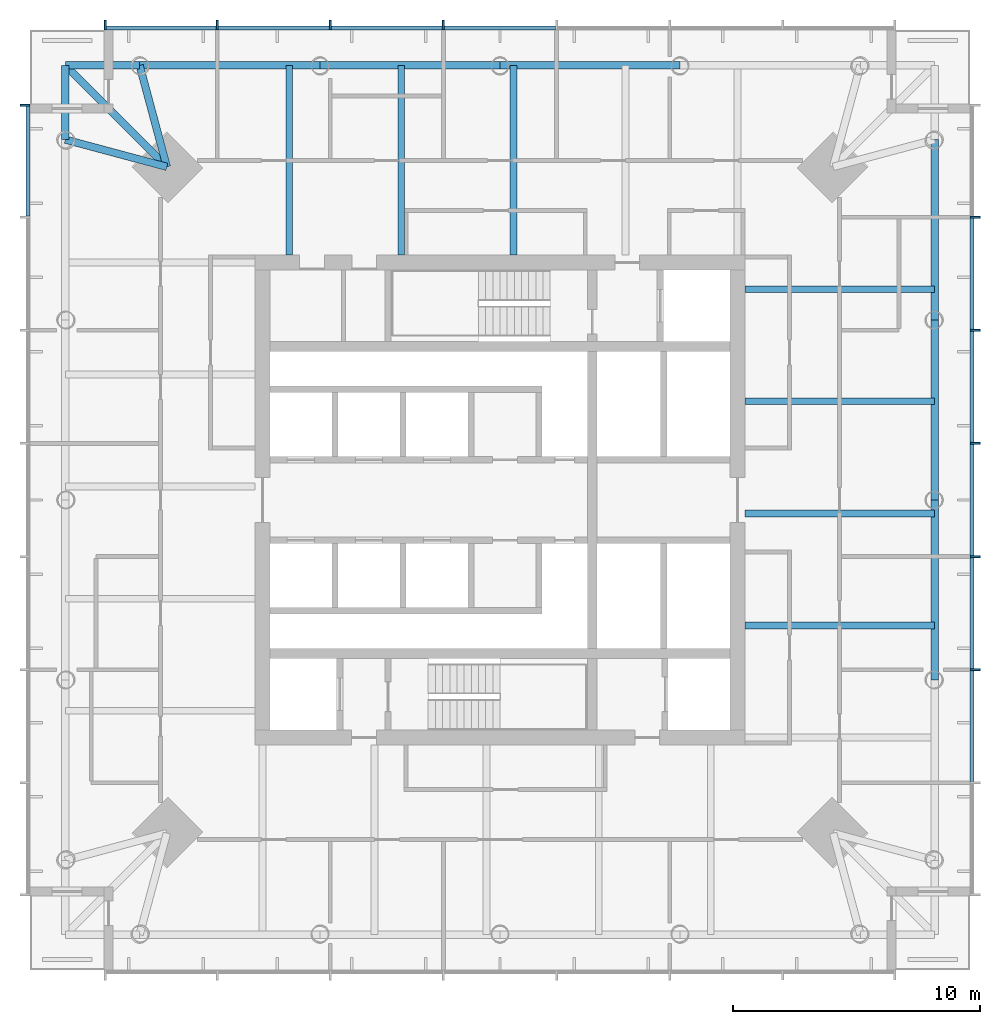
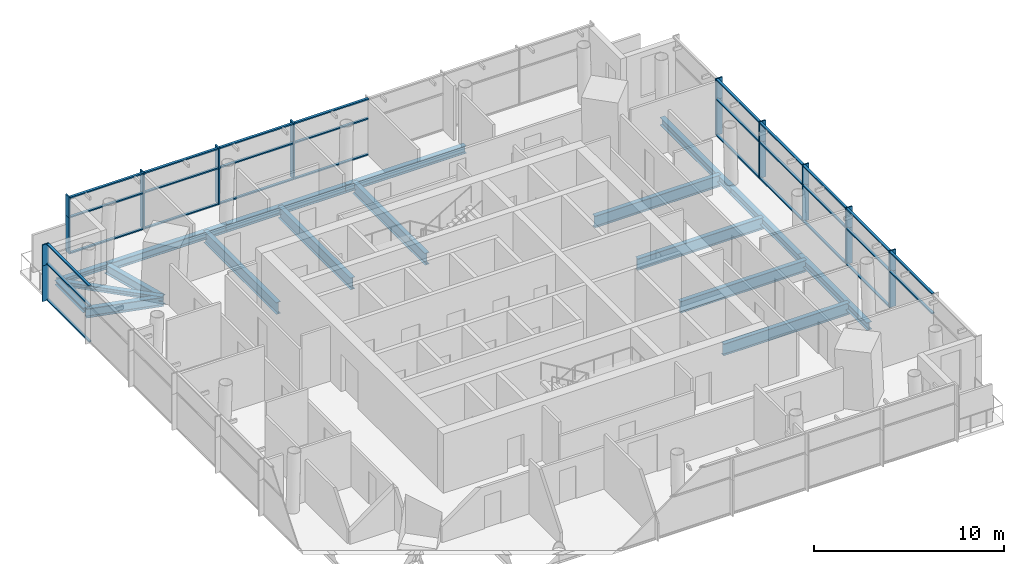
# One storey, part 3 of 10: 49 members, 18 beams, 6 elements without a shape of their own.
"""IFC4 building model written with IfcOpenShell, lengths in metres."""

from ifc_helpers import new_model, si_unit, direction, frame, origin, origin_2d, place, context, subcontext, project, spatial, rectangle, i_section, extrude, material, material_profile, profile_set, type_object, element, aggregate, save


model = new_model("IFC4")

# Units and contexts
model_context = context("Model", 3, precision=1e-05, world=origin(), true_north=direction((0.0, 1.0)))
body_context = subcontext(model_context, "Body", "Model", "MODEL_VIEW")
ifc_project = project(units=[si_unit("LENGTHUNIT", "METRE"), si_unit("AREAUNIT", "SQUARE_METRE"), si_unit("VOLUMEUNIT", "CUBIC_METRE"), si_unit("PLANEANGLEUNIT", "RADIAN"), si_unit("MASSUNIT", "GRAM", prefix="KILO")], contexts=[model_context])

# Site, building, storey
site_placement = place(None, origin())
site = spatial("IfcSite", under=ifc_project, at=site_placement, CompositionType="ELEMENT")
building_placement = place(site_placement, origin())
building = spatial("IfcBuilding", under=site, at=building_placement, Name="Ostroluk Exchange", CompositionType="ELEMENT")
storey_placement = place(building_placement, frame((0.0, 0.0, 222.39990234375)))
storey = spatial("IfcBuildingStorey", under=building, at=storey_placement, Name="L57", CompositionType="ELEMENT", Elevation=222.39990234375)

# Beams
ifc_material_1 = material(Name="Steel S355", Category="steel")
ifc_material_profile_1 = material_profile(ifc_material_1, i_section(OverallWidth=0.300048828125, OverallDepth=0.300048828125, WebThickness=0.010986328125, FlangeThickness=0.01904296875, FilletRadius=0.027099609375, at=origin_2d()), Name="HEB 300")
ifc_profile_set_1 = profile_set([ifc_material_profile_1], Name="Steel S355")
beam_type_1 = type_object("IfcBeamType", Name="Balcony beam HEB 300", PredefinedType="BEAM", material=ifc_profile_set_1)
for number, where, z_axis, x_axis, name in (
    (1, (30.435791015625, 63.564208984375, -0.329833984375), (-1.0, 0.0, 0.0), (0.0, -1.0, 0.0), "T1 north balcony beam a"),
    (2, (27.435791015625, 60.564208984375, -0.329833984375), (0.0, 1.0, 0.0), (-1.0, 0.0, 0.0), "T1 north balcony beam b"),
):
    element("IfcBeam", number, at=place(storey_placement, frame(where, z_axis=z_axis, x_axis=x_axis)), inside=storey, type_object=beam_type_1, Name=name, PredefinedType="BEAM", context=body_context, shape_type="SweptSolid", body=[
        extrude(i_section(OverallWidth=0.300048828125, OverallDepth=0.300048828125, WebThickness=0.010986328125, FlangeThickness=0.01904296875, FilletRadius=0.027099609375, at=origin_2d()), origin(), (0.0, 0.0, 1.0), 3.0),
    ])
beam_1_placement = place(storey_placement, frame((31.53564453125, 59.46435546875, -0.329833984375), z_axis=(-0.707106781187, 0.707106781187, 0.0), x_axis=(-0.707106781187, -0.707106781187, 0.0)))
element("IfcBeam", 3, at=beam_1_placement, inside=storey, type_object=beam_type_1, Name="T1 north balcony beam c", PredefinedType="BEAM", context=body_context, shape_type="SweptSolid", body=[
    extrude(i_section(OverallWidth=0.300048828125, OverallDepth=0.300048828125, WebThickness=0.010986328125, FlangeThickness=0.01904296875, FilletRadius=0.027099609375, at=origin_2d()), origin(), (0.0, 0.0, 1.0), 5.798095703125),
])
ifc_material_2 = material(Name="Steel S355", Category="steel")
ifc_material_profile_2 = material_profile(ifc_material_2, i_section(OverallWidth=0.300048828125, OverallDepth=0.60009765625, WebThickness=0.015380859375, FlangeThickness=0.030029296875, FilletRadius=0.027099609375, at=origin_2d()), Name="HEB 600")
ifc_profile_set_2 = profile_set([ifc_material_profile_2], Name="Steel S355")
beam_type_2 = type_object("IfcBeamType", Name="Corner edge beam HEB 600", PredefinedType="SPANDREL", material=ifc_profile_set_2)
for number, where, z_axis, x_axis, name in (
    (4, (31.53564453125, 59.46435546875, -0.47998046875), (-0.259105011038, 0.965849156574, 0.0), (-0.965849156574, -0.259105011038, 0.0), "T1 north corner edge beam a"),
    (5, (31.53564453125, 59.46435546875, -0.47998046875), (-0.965849156574, 0.259105011038, 0.0), (-0.259105011038, -0.965849156574, 0.0), "T1 north corner edge beam b"),
):
    element("IfcBeam", number, at=place(storey_placement, frame(where, z_axis=z_axis, x_axis=x_axis)), inside=storey, type_object=beam_type_2, Name=name, PredefinedType="SPANDREL", context=body_context, shape_type="SweptSolid", body=[
        extrude(i_section(OverallWidth=0.300048828125, OverallDepth=0.60009765625, WebThickness=0.015380859375, FlangeThickness=0.030029296875, FilletRadius=0.027099609375, at=origin_2d()), origin(), (0.0, 0.0, 1.0), 4.244873046875),
    ])
ifc_material_3 = material(Name="Steel S355", Category="steel")
ifc_material_profile_3 = material_profile(ifc_material_3, i_section(OverallWidth=0.264892578125, OverallDepth=0.7529296875, WebThickness=0.01318359375, FlangeThickness=0.01708984375, FilletRadius=0.01708984375, at=origin_2d()), Name="IPE 750x147")
ifc_profile_set_3 = profile_set([ifc_material_profile_3], Name="Steel S355")
beam_type_3 = type_object("IfcBeamType", Name="Floor beam IPE 750x147", PredefinedType="BEAM", material=ifc_profile_set_3)
for number, where, z_axis, x_axis, name in (
    (6, (54.89990234375, 40.927490234375, -0.556396484375), (1.0, 0.0, 0.0), (0.0, 1.0, 0.0), "T1 east floor beam 1"),
    (7, (54.89990234375, 45.454833984375, -0.556396484375), (1.0, 0.0, 0.0), (0.0, 1.0, 0.0), "T1 east floor beam 2"),
    (8, (54.89990234375, 49.982177734375, -0.556396484375), (1.0, 0.0, 0.0), (0.0, 1.0, 0.0), "T1 east floor beam 3"),
    (9, (54.89990234375, 54.509521484375, -0.556396484375), (1.0, 0.0, 0.0), (0.0, 1.0, 0.0), "T1 east floor beam 4"),
    (10, (45.545166015625, 55.89990234375, -0.556396484375), (0.0, 1.0, 0.0), (-1.0, 0.0, 0.0), "T1 north floor beam 2"),
    (11, (41.017822265625, 55.89990234375, -0.556396484375), (0.0, 1.0, 0.0), (-1.0, 0.0, 0.0), "T1 north floor beam 3"),
    (12, (36.490478515625, 55.89990234375, -0.556396484375), (0.0, 1.0, 0.0), (-1.0, 0.0, 0.0), "T1 north floor beam 4"),
):
    element("IfcBeam", number, at=place(storey_placement, frame(where, z_axis=z_axis, x_axis=x_axis)), inside=storey, type_object=beam_type_3, Name=name, PredefinedType="BEAM", context=body_context, shape_type="SweptSolid", body=[
        extrude(i_section(OverallWidth=0.264892578125, OverallDepth=0.7529296875, WebThickness=0.01318359375, FlangeThickness=0.01708984375, FilletRadius=0.01708984375, at=origin_2d()), origin(), (0.0, 0.0, 1.0), 7.664306640625),
    ])
ifc_material_4 = material(Name="Steel S355", Category="steel")
ifc_material_profile_4 = material_profile(ifc_material_4, i_section(OverallWidth=0.300048828125, OverallDepth=0.5, WebThickness=0.014404296875, FlangeThickness=0.028076171875, FilletRadius=0.027099609375, at=origin_2d()), Name="HEB 500")
ifc_profile_set_4 = profile_set([ifc_material_profile_4], Name="Steel S355")
beam_type_4 = type_object("IfcBeamType", Name="Moment-connected edge beam HEB 500", PredefinedType="SPANDREL", material=ifc_profile_set_4)
for number, where, z_axis, x_axis, name in (
    (13, (62.564208984375, 38.7177734375, -0.429931640625), (0.0, 1.0, 0.0), (-1.0, 0.0, 0.0), "T1 east edge beam 2"),
    (14, (62.564208984375, 46.0, -0.429931640625), (0.0, 1.0, 0.0), (-1.0, 0.0, 0.0), "T1 east edge beam 3"),
):
    element("IfcBeam", number, at=place(storey_placement, frame(where, z_axis=z_axis, x_axis=x_axis)), inside=storey, type_object=beam_type_4, Name=name, PredefinedType="SPANDREL", context=body_context, shape_type="SweptSolid", body=[
        extrude(i_section(OverallWidth=0.300048828125, OverallDepth=0.5, WebThickness=0.014404296875, FlangeThickness=0.028076171875, FilletRadius=0.027099609375, at=origin_2d()), origin(), (0.0, 0.0, 1.0), 7.2822265625),
    ])
beam_2_placement = place(storey_placement, frame((62.564208984375, 53.2822265625, -0.429931640625), z_axis=(0.0, 1.0, 0.0), x_axis=(-1.0, 0.0, 0.0)))
element("IfcBeam", 15, at=beam_2_placement, inside=storey, type_object=beam_type_4, Name="T1 east edge beam 4", PredefinedType="SPANDREL", context=body_context, shape_type="SweptSolid", body=[
    extrude(i_section(OverallWidth=0.300048828125, OverallDepth=0.5, WebThickness=0.014404296875, FlangeThickness=0.028076171875, FilletRadius=0.027099609375, at=origin_2d()), origin(), (0.0, 0.0, 1.0), 7.281982421875),
])
for number, where, z_axis, x_axis, name in (
    (16, (52.2822265625, 63.564208984375, -0.429931640625), (-1.0, 0.0, 0.0), (0.0, -1.0, 0.0), "T1 north edge beam 2"),
    (17, (45.0, 63.564208984375, -0.429931640625), (-1.0, 0.0, 0.0), (0.0, -1.0, 0.0), "T1 north edge beam 3"),
):
    element("IfcBeam", number, at=place(storey_placement, frame(where, z_axis=z_axis, x_axis=x_axis)), inside=storey, type_object=beam_type_4, Name=name, PredefinedType="SPANDREL", context=body_context, shape_type="SweptSolid", body=[
        extrude(i_section(OverallWidth=0.300048828125, OverallDepth=0.5, WebThickness=0.014404296875, FlangeThickness=0.028076171875, FilletRadius=0.027099609375, at=origin_2d()), origin(), (0.0, 0.0, 1.0), 7.2822265625),
    ])
beam_3_placement = place(storey_placement, frame((37.7177734375, 63.564208984375, -0.429931640625), z_axis=(-1.0, 0.0, 0.0), x_axis=(0.0, -1.0, 0.0)))
element("IfcBeam", 18, at=beam_3_placement, inside=storey, type_object=beam_type_4, Name="T1 north edge beam 4", PredefinedType="SPANDREL", context=body_context, shape_type="SweptSolid", body=[
    extrude(i_section(OverallWidth=0.300048828125, OverallDepth=0.5, WebThickness=0.014404296875, FlangeThickness=0.028076171875, FilletRadius=0.027099609375, at=origin_2d()), origin(), (0.0, 0.0, 1.0), 7.281982421875),
])

# Curtain wall, members
ifc_material_5 = material(Name="Laminated clear glass", Category="glass")
curtain_wall_type = type_object("IfcCurtainWallType", Name="Office tower facade", PredefinedType="USERDEFINED", material=ifc_material_5)
curtain_wall_1_placement = place(storey_placement, origin())
curtain_wall_1 = element("IfcCurtainWall", 19, at=curtain_wall_1_placement, inside=storey, type_object=curtain_wall_type, Name="Office tower east facade L57", ObjectType="UNITISED CURTAIN WALL", PredefinedType="USERDEFINED")
ifc_material_6 = material(Name="Aluminium mullion", Category="aluminium")
ifc_material_profile_5 = material_profile(ifc_material_6, rectangle(XDim=0.14990234375, YDim=0.080078125, at=origin_2d()), Name="Sill transom 80 x 150")
ifc_profile_set_5 = profile_set([ifc_material_profile_5], Name="Aluminium mullion")
member_type_1 = type_object("IfcMemberType", Name="Sill transom 80 x 150", PredefinedType="USERDEFINED", material=ifc_profile_set_5)
member_1_placement = place(storey_placement, frame((64.074951171875, 39.182861328125, 0.0400390625), z_axis=(0.0, 1.0, 0.0), x_axis=(-1.0, 0.0, 0.0)))
member_1 = element("IfcMember", 20, at=member_1_placement, type_object=member_type_1, Name="CW-O1 transom 3.1", ObjectType="TRANSOM", PredefinedType="USERDEFINED", context=body_context, shape_type="SweptSolid", body=[
    extrude(rectangle(XDim=0.14990234375, YDim=0.080078125, at=origin_2d()), origin(), (0.0, 0.0, 1.0), 4.491455078125),
])
member_2_placement = place(storey_placement, frame((64.074951171875, 43.75439453125, 0.0400390625), z_axis=(0.0, 1.0, 0.0), x_axis=(-1.0, 0.0, 0.0)))
member_2 = element("IfcMember", 21, at=member_2_placement, type_object=member_type_1, Name="CW-O1 transom 4.1", ObjectType="TRANSOM", PredefinedType="USERDEFINED", context=body_context, shape_type="SweptSolid", body=[
    extrude(rectangle(XDim=0.14990234375, YDim=0.080078125, at=origin_2d()), origin(), (0.0, 0.0, 1.0), 4.4912109375),
])
member_3_placement = place(storey_placement, frame((64.074951171875, 48.32568359375, 0.0400390625), z_axis=(0.0, 1.0, 0.0), x_axis=(-1.0, 0.0, 0.0)))
member_3 = element("IfcMember", 22, at=member_3_placement, type_object=member_type_1, Name="CW-O1 transom 5.1", ObjectType="TRANSOM", PredefinedType="USERDEFINED", context=body_context, shape_type="SweptSolid", body=[
    extrude(rectangle(XDim=0.14990234375, YDim=0.080078125, at=origin_2d()), origin(), (0.0, 0.0, 1.0), 4.491455078125),
])
member_4_placement = place(storey_placement, frame((64.074951171875, 52.897216796875, 0.0400390625), z_axis=(0.0, 1.0, 0.0), x_axis=(-1.0, 0.0, 0.0)))
member_4 = element("IfcMember", 23, at=member_4_placement, type_object=member_type_1, Name="CW-O1 transom 6.1", ObjectType="TRANSOM", PredefinedType="USERDEFINED", context=body_context, shape_type="SweptSolid", body=[
    extrude(rectangle(XDim=0.14990234375, YDim=0.080078125, at=origin_2d()), origin(), (0.0, 0.0, 1.0), 4.491455078125),
])

curtain_wall_2_placement = place(storey_placement, origin())
curtain_wall_2 = element("IfcCurtainWall", 24, at=curtain_wall_2_placement, inside=storey, type_object=curtain_wall_type, Name="Office tower east spandrel L57", ObjectType="UNITISED CURTAIN WALL", PredefinedType="USERDEFINED")
member_5_placement = place(storey_placement, frame((64.074951171875, 34.611328125, 2.353515625), z_axis=(0.0, 1.0, 0.0), x_axis=(-1.0, 0.0, 0.0)))
member_5 = element("IfcMember", 25, at=member_5_placement, type_object=member_type_1, Name="CW-O1 transom 2.1", ObjectType="TRANSOM", PredefinedType="USERDEFINED", context=body_context, shape_type="SweptSolid", body=[
    extrude(rectangle(XDim=0.14990234375, YDim=0.080078125, at=origin_2d()), origin(), (0.0, 0.0, 1.0), 4.491455078125),
])
member_6_placement = place(storey_placement, frame((64.074951171875, 34.611328125, 3.610107421875), z_axis=(0.0, 1.0, 0.0), x_axis=(-1.0, 0.0, 0.0)))
member_6 = element("IfcMember", 26, at=member_6_placement, type_object=member_type_1, Name="CW-O1 transom 2.2", ObjectType="TRANSOM", PredefinedType="USERDEFINED", context=body_context, shape_type="SweptSolid", body=[
    extrude(rectangle(XDim=0.14990234375, YDim=0.080078125, at=origin_2d()), origin(), (0.0, 0.0, 1.0), 4.491455078125),
])
member_7_placement = place(storey_placement, frame((64.074951171875, 39.182861328125, 2.353515625), z_axis=(0.0, 1.0, 0.0), x_axis=(-1.0, 0.0, 0.0)))
member_7 = element("IfcMember", 27, at=member_7_placement, type_object=member_type_1, Name="CW-O1 transom 3.1", ObjectType="TRANSOM", PredefinedType="USERDEFINED", context=body_context, shape_type="SweptSolid", body=[
    extrude(rectangle(XDim=0.14990234375, YDim=0.080078125, at=origin_2d()), origin(), (0.0, 0.0, 1.0), 4.491455078125),
])
member_8_placement = place(storey_placement, frame((64.074951171875, 39.182861328125, 3.610107421875), z_axis=(0.0, 1.0, 0.0), x_axis=(-1.0, 0.0, 0.0)))
member_8 = element("IfcMember", 28, at=member_8_placement, type_object=member_type_1, Name="CW-O1 transom 3.2", ObjectType="TRANSOM", PredefinedType="USERDEFINED", context=body_context, shape_type="SweptSolid", body=[
    extrude(rectangle(XDim=0.14990234375, YDim=0.080078125, at=origin_2d()), origin(), (0.0, 0.0, 1.0), 4.491455078125),
])
member_9_placement = place(storey_placement, frame((64.074951171875, 43.75439453125, 2.353515625), z_axis=(0.0, 1.0, 0.0), x_axis=(-1.0, 0.0, 0.0)))
member_9 = element("IfcMember", 29, at=member_9_placement, type_object=member_type_1, Name="CW-O1 transom 4.1", ObjectType="TRANSOM", PredefinedType="USERDEFINED", context=body_context, shape_type="SweptSolid", body=[
    extrude(rectangle(XDim=0.14990234375, YDim=0.080078125, at=origin_2d()), origin(), (0.0, 0.0, 1.0), 4.4912109375),
])
member_10_placement = place(storey_placement, frame((64.074951171875, 43.75439453125, 3.610107421875), z_axis=(0.0, 1.0, 0.0), x_axis=(-1.0, 0.0, 0.0)))
member_10 = element("IfcMember", 30, at=member_10_placement, type_object=member_type_1, Name="CW-O1 transom 4.2", ObjectType="TRANSOM", PredefinedType="USERDEFINED", context=body_context, shape_type="SweptSolid", body=[
    extrude(rectangle(XDim=0.14990234375, YDim=0.080078125, at=origin_2d()), origin(), (0.0, 0.0, 1.0), 4.4912109375),
])
member_11_placement = place(storey_placement, frame((64.074951171875, 48.32568359375, 2.353515625), z_axis=(0.0, 1.0, 0.0), x_axis=(-1.0, 0.0, 0.0)))
member_11 = element("IfcMember", 31, at=member_11_placement, type_object=member_type_1, Name="CW-O1 transom 5.1", ObjectType="TRANSOM", PredefinedType="USERDEFINED", context=body_context, shape_type="SweptSolid", body=[
    extrude(rectangle(XDim=0.14990234375, YDim=0.080078125, at=origin_2d()), origin(), (0.0, 0.0, 1.0), 4.491455078125),
])
member_12_placement = place(storey_placement, frame((64.074951171875, 48.32568359375, 3.610107421875), z_axis=(0.0, 1.0, 0.0), x_axis=(-1.0, 0.0, 0.0)))
member_12 = element("IfcMember", 32, at=member_12_placement, type_object=member_type_1, Name="CW-O1 transom 5.2", ObjectType="TRANSOM", PredefinedType="USERDEFINED", context=body_context, shape_type="SweptSolid", body=[
    extrude(rectangle(XDim=0.14990234375, YDim=0.080078125, at=origin_2d()), origin(), (0.0, 0.0, 1.0), 4.491455078125),
])
member_13_placement = place(storey_placement, frame((64.074951171875, 52.897216796875, 2.353515625), z_axis=(0.0, 1.0, 0.0), x_axis=(-1.0, 0.0, 0.0)))
member_13 = element("IfcMember", 33, at=member_13_placement, type_object=member_type_1, Name="CW-O1 transom 6.1", ObjectType="TRANSOM", PredefinedType="USERDEFINED", context=body_context, shape_type="SweptSolid", body=[
    extrude(rectangle(XDim=0.14990234375, YDim=0.080078125, at=origin_2d()), origin(), (0.0, 0.0, 1.0), 4.491455078125),
])
member_14_placement = place(storey_placement, frame((64.074951171875, 52.897216796875, 3.610107421875), z_axis=(0.0, 1.0, 0.0), x_axis=(-1.0, 0.0, 0.0)))
member_14 = element("IfcMember", 34, at=member_14_placement, type_object=member_type_1, Name="CW-O1 transom 6.2", ObjectType="TRANSOM", PredefinedType="USERDEFINED", context=body_context, shape_type="SweptSolid", body=[
    extrude(rectangle(XDim=0.14990234375, YDim=0.080078125, at=origin_2d()), origin(), (0.0, 0.0, 1.0), 4.491455078125),
])

curtain_wall_3_placement = place(storey_placement, origin())
curtain_wall_3 = element("IfcCurtainWall", 35, at=curtain_wall_3_placement, inside=storey, type_object=curtain_wall_type, Name="Office tower north facade L57", ObjectType="UNITISED CURTAIN WALL", PredefinedType="USERDEFINED")
member_15_placement = place(storey_placement, frame((47.24560546875, 65.074951171875, 0.0400390625), z_axis=(-1.0, 0.0, 0.0), x_axis=(0.0, -1.0, 0.0)))
member_15 = element("IfcMember", 36, at=member_15_placement, type_object=member_type_1, Name="CW-O1 transom 4.1", ObjectType="TRANSOM", PredefinedType="USERDEFINED", context=body_context, shape_type="SweptSolid", body=[
    extrude(rectangle(XDim=0.14990234375, YDim=0.080078125, at=origin_2d()), origin(), (0.0, 0.0, 1.0), 4.4912109375),
])
member_16_placement = place(storey_placement, frame((42.67431640625, 65.074951171875, 0.0400390625), z_axis=(-1.0, 0.0, 0.0), x_axis=(0.0, -1.0, 0.0)))
member_16 = element("IfcMember", 37, at=member_16_placement, type_object=member_type_1, Name="CW-O1 transom 5.1", ObjectType="TRANSOM", PredefinedType="USERDEFINED", context=body_context, shape_type="SweptSolid", body=[
    extrude(rectangle(XDim=0.14990234375, YDim=0.080078125, at=origin_2d()), origin(), (0.0, 0.0, 1.0), 4.491455078125),
])
member_17_placement = place(storey_placement, frame((38.102783203125, 65.074951171875, 0.0400390625), z_axis=(-1.0, 0.0, 0.0), x_axis=(0.0, -1.0, 0.0)))
member_17 = element("IfcMember", 38, at=member_17_placement, type_object=member_type_1, Name="CW-O1 transom 6.1", ObjectType="TRANSOM", PredefinedType="USERDEFINED", context=body_context, shape_type="SweptSolid", body=[
    extrude(rectangle(XDim=0.14990234375, YDim=0.080078125, at=origin_2d()), origin(), (0.0, 0.0, 1.0), 4.491455078125),
])
member_18_placement = place(storey_placement, frame((33.531494140625, 65.074951171875, 0.0400390625), z_axis=(-1.0, 0.0, 0.0), x_axis=(0.0, -1.0, 0.0)))
member_18 = element("IfcMember", 39, at=member_18_placement, type_object=member_type_1, Name="CW-O1 transom 7.1", ObjectType="TRANSOM", PredefinedType="USERDEFINED", context=body_context, shape_type="SweptSolid", body=[
    extrude(rectangle(XDim=0.14990234375, YDim=0.080078125, at=origin_2d()), origin(), (0.0, 0.0, 1.0), 4.451416015625),
])

curtain_wall_4_placement = place(storey_placement, origin())
curtain_wall_4 = element("IfcCurtainWall", 40, at=curtain_wall_4_placement, inside=storey, type_object=curtain_wall_type, Name="Office tower north spandrel L57", ObjectType="UNITISED CURTAIN WALL", PredefinedType="USERDEFINED")
member_19_placement = place(storey_placement, frame((47.24560546875, 65.074951171875, 2.353515625), z_axis=(-1.0, 0.0, 0.0), x_axis=(0.0, -1.0, 0.0)))
member_19 = element("IfcMember", 41, at=member_19_placement, type_object=member_type_1, Name="CW-O1 transom 4.1", ObjectType="TRANSOM", PredefinedType="USERDEFINED", context=body_context, shape_type="SweptSolid", body=[
    extrude(rectangle(XDim=0.14990234375, YDim=0.080078125, at=origin_2d()), origin(), (0.0, 0.0, 1.0), 4.4912109375),
])
member_20_placement = place(storey_placement, frame((47.24560546875, 65.074951171875, 3.610107421875), z_axis=(-1.0, 0.0, 0.0), x_axis=(0.0, -1.0, 0.0)))
member_20 = element("IfcMember", 42, at=member_20_placement, type_object=member_type_1, Name="CW-O1 transom 4.2", ObjectType="TRANSOM", PredefinedType="USERDEFINED", context=body_context, shape_type="SweptSolid", body=[
    extrude(rectangle(XDim=0.14990234375, YDim=0.080078125, at=origin_2d()), origin(), (0.0, 0.0, 1.0), 4.4912109375),
])
member_21_placement = place(storey_placement, frame((42.67431640625, 65.074951171875, 2.353515625), z_axis=(-1.0, 0.0, 0.0), x_axis=(0.0, -1.0, 0.0)))
member_21 = element("IfcMember", 43, at=member_21_placement, type_object=member_type_1, Name="CW-O1 transom 5.1", ObjectType="TRANSOM", PredefinedType="USERDEFINED", context=body_context, shape_type="SweptSolid", body=[
    extrude(rectangle(XDim=0.14990234375, YDim=0.080078125, at=origin_2d()), origin(), (0.0, 0.0, 1.0), 4.491455078125),
])
member_22_placement = place(storey_placement, frame((42.67431640625, 65.074951171875, 3.610107421875), z_axis=(-1.0, 0.0, 0.0), x_axis=(0.0, -1.0, 0.0)))
member_22 = element("IfcMember", 44, at=member_22_placement, type_object=member_type_1, Name="CW-O1 transom 5.2", ObjectType="TRANSOM", PredefinedType="USERDEFINED", context=body_context, shape_type="SweptSolid", body=[
    extrude(rectangle(XDim=0.14990234375, YDim=0.080078125, at=origin_2d()), origin(), (0.0, 0.0, 1.0), 4.491455078125),
])
member_23_placement = place(storey_placement, frame((38.102783203125, 65.074951171875, 2.353515625), z_axis=(-1.0, 0.0, 0.0), x_axis=(0.0, -1.0, 0.0)))
member_23 = element("IfcMember", 45, at=member_23_placement, type_object=member_type_1, Name="CW-O1 transom 6.1", ObjectType="TRANSOM", PredefinedType="USERDEFINED", context=body_context, shape_type="SweptSolid", body=[
    extrude(rectangle(XDim=0.14990234375, YDim=0.080078125, at=origin_2d()), origin(), (0.0, 0.0, 1.0), 4.491455078125),
])
member_24_placement = place(storey_placement, frame((38.102783203125, 65.074951171875, 3.610107421875), z_axis=(-1.0, 0.0, 0.0), x_axis=(0.0, -1.0, 0.0)))
member_24 = element("IfcMember", 46, at=member_24_placement, type_object=member_type_1, Name="CW-O1 transom 6.2", ObjectType="TRANSOM", PredefinedType="USERDEFINED", context=body_context, shape_type="SweptSolid", body=[
    extrude(rectangle(XDim=0.14990234375, YDim=0.080078125, at=origin_2d()), origin(), (0.0, 0.0, 1.0), 4.491455078125),
])
member_25_placement = place(storey_placement, frame((33.531494140625, 65.074951171875, 2.353515625), z_axis=(-1.0, 0.0, 0.0), x_axis=(0.0, -1.0, 0.0)))
member_25 = element("IfcMember", 47, at=member_25_placement, type_object=member_type_1, Name="CW-O1 transom 7.1", ObjectType="TRANSOM", PredefinedType="USERDEFINED", context=body_context, shape_type="SweptSolid", body=[
    extrude(rectangle(XDim=0.14990234375, YDim=0.080078125, at=origin_2d()), origin(), (0.0, 0.0, 1.0), 4.451416015625),
])
member_26_placement = place(storey_placement, frame((33.531494140625, 65.074951171875, 3.610107421875), z_axis=(-1.0, 0.0, 0.0), x_axis=(0.0, -1.0, 0.0)))
member_26 = element("IfcMember", 48, at=member_26_placement, type_object=member_type_1, Name="CW-O1 transom 7.2", ObjectType="TRANSOM", PredefinedType="USERDEFINED", context=body_context, shape_type="SweptSolid", body=[
    extrude(rectangle(XDim=0.14990234375, YDim=0.080078125, at=origin_2d()), origin(), (0.0, 0.0, 1.0), 4.451416015625),
])

# Curtain wall, member
curtain_wall_5_placement = place(storey_placement, origin())
curtain_wall_5 = element("IfcCurtainWall", 49, at=curtain_wall_5_placement, inside=storey, type_object=curtain_wall_type, Name="Office tower west facade L57", ObjectType="UNITISED CURTAIN WALL", PredefinedType="USERDEFINED")
member_27_placement = place(storey_placement, frame((25.925048828125, 61.919921875, 0.0400390625), z_axis=(0.0, -1.0, 0.0), x_axis=(1.0, 0.0, 0.0)))
member_27 = element("IfcMember", 50, at=member_27_placement, type_object=member_type_1, Name="CW-O1 transom 1.1", ObjectType="TRANSOM", PredefinedType="USERDEFINED", context=body_context, shape_type="SweptSolid", body=[
    extrude(rectangle(XDim=0.14990234375, YDim=0.080078125, at=origin_2d()), origin(), (0.0, 0.0, 1.0), 4.451416015625),
])

# Curtain wall, members
curtain_wall_6_placement = place(storey_placement, origin())
curtain_wall_6 = element("IfcCurtainWall", 51, at=curtain_wall_6_placement, inside=storey, type_object=curtain_wall_type, Name="Office tower west spandrel L57", ObjectType="UNITISED CURTAIN WALL", PredefinedType="USERDEFINED")
member_28_placement = place(storey_placement, frame((25.925048828125, 61.919921875, 2.353515625), z_axis=(0.0, -1.0, 0.0), x_axis=(1.0, 0.0, 0.0)))
member_28 = element("IfcMember", 52, at=member_28_placement, type_object=member_type_1, Name="CW-O1 transom 1.1", ObjectType="TRANSOM", PredefinedType="USERDEFINED", context=body_context, shape_type="SweptSolid", body=[
    extrude(rectangle(XDim=0.14990234375, YDim=0.080078125, at=origin_2d()), origin(), (0.0, 0.0, 1.0), 4.451416015625),
])
member_29_placement = place(storey_placement, frame((25.925048828125, 61.919921875, 3.610107421875), z_axis=(0.0, -1.0, 0.0), x_axis=(1.0, 0.0, 0.0)))
member_29 = element("IfcMember", 53, at=member_29_placement, type_object=member_type_1, Name="CW-O1 transom 1.2", ObjectType="TRANSOM", PredefinedType="USERDEFINED", context=body_context, shape_type="SweptSolid", body=[
    extrude(rectangle(XDim=0.14990234375, YDim=0.080078125, at=origin_2d()), origin(), (0.0, 0.0, 1.0), 4.451416015625),
])

# Member
ifc_material_7 = material(Name="Aluminium mullion with limestone facing", Category="masonry")
ifc_material_profile_6 = material_profile(ifc_material_7, rectangle(XDim=0.39990234375, YDim=0.080078125, at=origin_2d()), Name="Tracery mullion 80 x 400")
ifc_profile_set_6 = profile_set([ifc_material_profile_6], Name="Aluminium mullion with limestone facing")
member_type_2 = type_object("IfcMemberType", Name="Tracery mullion 80 x 400", PredefinedType="MULLION", material=ifc_profile_set_6)
member_30_placement = place(storey_placement, frame((64.199951171875, 39.142822265625, 0.0), z_axis=(0.0, 0.0, 1.0), x_axis=(-1.0, 0.0, 0.0)))
member_30 = element("IfcMember", 54, at=member_30_placement, type_object=member_type_2, Name="CW-O1 mullion 3", PredefinedType="MULLION", context=body_context, shape_type="SweptSolid", body=[
    extrude(rectangle(XDim=0.39990234375, YDim=0.080078125, at=origin_2d()), origin(), (0.0, 0.0, 1.0), 2.3134765625),
])

member_31_placement = place(storey_placement, frame((64.199951171875, 43.71435546875, 0.0), z_axis=(0.0, 0.0, 1.0), x_axis=(-1.0, 0.0, 0.0)))
member_31 = element("IfcMember", 55, at=member_31_placement, type_object=member_type_2, Name="CW-O1 mullion 4", PredefinedType="MULLION", context=body_context, shape_type="SweptSolid", body=[
    extrude(rectangle(XDim=0.39990234375, YDim=0.080078125, at=origin_2d()), origin(), (0.0, 0.0, 1.0), 2.3134765625),
])

member_32_placement = place(storey_placement, frame((64.199951171875, 48.28564453125, 0.0), z_axis=(0.0, 0.0, 1.0), x_axis=(-1.0, 0.0, 0.0)))
member_32 = element("IfcMember", 56, at=member_32_placement, type_object=member_type_2, Name="CW-O1 mullion 5", PredefinedType="MULLION", context=body_context, shape_type="SweptSolid", body=[
    extrude(rectangle(XDim=0.39990234375, YDim=0.080078125, at=origin_2d()), origin(), (0.0, 0.0, 1.0), 2.3134765625),
])

member_33_placement = place(storey_placement, frame((64.199951171875, 52.857177734375, 0.0), z_axis=(0.0, 0.0, 1.0), x_axis=(-1.0, 0.0, 0.0)))
member_33 = element("IfcMember", 57, at=member_33_placement, type_object=member_type_2, Name="CW-O1 mullion 6", PredefinedType="MULLION", context=body_context, shape_type="SweptSolid", body=[
    extrude(rectangle(XDim=0.39990234375, YDim=0.080078125, at=origin_2d()), origin(), (0.0, 0.0, 1.0), 2.3134765625),
])

member_34_placement = place(storey_placement, frame((64.199951171875, 57.428466796875, 0.0), z_axis=(0.0, 0.0, 1.0), x_axis=(-1.0, 0.0, 0.0)))
member_34 = element("IfcMember", 58, at=member_34_placement, type_object=member_type_2, Name="CW-O1 mullion 7", PredefinedType="MULLION", context=body_context, shape_type="SweptSolid", body=[
    extrude(rectangle(XDim=0.39990234375, YDim=0.080078125, at=origin_2d()), origin(), (0.0, 0.0, 1.0), 2.3134765625),
])

aggregate(curtain_wall_1, [member_30, member_31, member_32, member_33, member_34, member_1, member_2, member_3, member_4])

member_35_placement = place(storey_placement, frame((64.199951171875, 39.142822265625, 2.3134765625), z_axis=(0.0, 0.0, 1.0), x_axis=(-1.0, 0.0, 0.0)))
member_35 = element("IfcMember", 59, at=member_35_placement, type_object=member_type_2, Name="CW-O1 mullion 3", PredefinedType="MULLION", context=body_context, shape_type="SweptSolid", body=[
    extrude(rectangle(XDim=0.39990234375, YDim=0.080078125, at=origin_2d()), origin(), (0.0, 0.0, 1.0), 1.336669921875),
])

member_36_placement = place(storey_placement, frame((64.199951171875, 43.71435546875, 2.3134765625), z_axis=(0.0, 0.0, 1.0), x_axis=(-1.0, 0.0, 0.0)))
member_36 = element("IfcMember", 60, at=member_36_placement, type_object=member_type_2, Name="CW-O1 mullion 4", PredefinedType="MULLION", context=body_context, shape_type="SweptSolid", body=[
    extrude(rectangle(XDim=0.39990234375, YDim=0.080078125, at=origin_2d()), origin(), (0.0, 0.0, 1.0), 1.336669921875),
])

member_37_placement = place(storey_placement, frame((64.199951171875, 48.28564453125, 2.3134765625), z_axis=(0.0, 0.0, 1.0), x_axis=(-1.0, 0.0, 0.0)))
member_37 = element("IfcMember", 61, at=member_37_placement, type_object=member_type_2, Name="CW-O1 mullion 5", PredefinedType="MULLION", context=body_context, shape_type="SweptSolid", body=[
    extrude(rectangle(XDim=0.39990234375, YDim=0.080078125, at=origin_2d()), origin(), (0.0, 0.0, 1.0), 1.336669921875),
])

member_38_placement = place(storey_placement, frame((64.199951171875, 52.857177734375, 2.3134765625), z_axis=(0.0, 0.0, 1.0), x_axis=(-1.0, 0.0, 0.0)))
member_38 = element("IfcMember", 62, at=member_38_placement, type_object=member_type_2, Name="CW-O1 mullion 6", PredefinedType="MULLION", context=body_context, shape_type="SweptSolid", body=[
    extrude(rectangle(XDim=0.39990234375, YDim=0.080078125, at=origin_2d()), origin(), (0.0, 0.0, 1.0), 1.336669921875),
])

member_39_placement = place(storey_placement, frame((64.199951171875, 57.428466796875, 2.3134765625), z_axis=(0.0, 0.0, 1.0), x_axis=(-1.0, 0.0, 0.0)))
member_39 = element("IfcMember", 63, at=member_39_placement, type_object=member_type_2, Name="CW-O1 mullion 7", PredefinedType="MULLION", context=body_context, shape_type="SweptSolid", body=[
    extrude(rectangle(XDim=0.39990234375, YDim=0.080078125, at=origin_2d()), origin(), (0.0, 0.0, 1.0), 1.336669921875),
])

aggregate(curtain_wall_2, [member_35, member_36, member_37, member_38, member_39, member_5, member_6, member_7, member_8, member_9, member_10, member_11, member_12, member_13, member_14])

member_40_placement = place(storey_placement, frame((42.71435546875, 65.199951171875, 0.0), z_axis=(0.0, 0.0, 1.0), x_axis=(0.0, -1.0, 0.0)))
member_40 = element("IfcMember", 64, at=member_40_placement, type_object=member_type_2, Name="CW-O1 mullion 5", PredefinedType="MULLION", context=body_context, shape_type="SweptSolid", body=[
    extrude(rectangle(XDim=0.39990234375, YDim=0.080078125, at=origin_2d()), origin(), (0.0, 0.0, 1.0), 2.3134765625),
])

member_41_placement = place(storey_placement, frame((38.142822265625, 65.199951171875, 0.0), z_axis=(0.0, 0.0, 1.0), x_axis=(0.0, -1.0, 0.0)))
member_41 = element("IfcMember", 65, at=member_41_placement, type_object=member_type_2, Name="CW-O1 mullion 6", PredefinedType="MULLION", context=body_context, shape_type="SweptSolid", body=[
    extrude(rectangle(XDim=0.39990234375, YDim=0.080078125, at=origin_2d()), origin(), (0.0, 0.0, 1.0), 2.3134765625),
])

member_42_placement = place(storey_placement, frame((33.571533203125, 65.199951171875, 0.0), z_axis=(0.0, 0.0, 1.0), x_axis=(0.0, -1.0, 0.0)))
member_42 = element("IfcMember", 66, at=member_42_placement, type_object=member_type_2, Name="CW-O1 mullion 7", PredefinedType="MULLION", context=body_context, shape_type="SweptSolid", body=[
    extrude(rectangle(XDim=0.39990234375, YDim=0.080078125, at=origin_2d()), origin(), (0.0, 0.0, 1.0), 2.3134765625),
])

member_43_placement = place(storey_placement, frame((29.0400390625, 65.199951171875, 0.0), z_axis=(0.0, 0.0, 1.0), x_axis=(0.0, -1.0, 0.0)))
member_43 = element("IfcMember", 67, at=member_43_placement, type_object=member_type_2, Name="CW-O1 mullion 8", PredefinedType="MULLION", context=body_context, shape_type="SweptSolid", body=[
    extrude(rectangle(XDim=0.39990234375, YDim=0.080078125, at=origin_2d()), origin(), (0.0, 0.0, 1.0), 2.3134765625),
])

aggregate(curtain_wall_3, [member_40, member_41, member_42, member_43, member_15, member_16, member_17, member_18])

member_44_placement = place(storey_placement, frame((42.71435546875, 65.199951171875, 2.3134765625), z_axis=(0.0, 0.0, 1.0), x_axis=(0.0, -1.0, 0.0)))
member_44 = element("IfcMember", 68, at=member_44_placement, type_object=member_type_2, Name="CW-O1 mullion 5", PredefinedType="MULLION", context=body_context, shape_type="SweptSolid", body=[
    extrude(rectangle(XDim=0.39990234375, YDim=0.080078125, at=origin_2d()), origin(), (0.0, 0.0, 1.0), 1.336669921875),
])

member_45_placement = place(storey_placement, frame((38.142822265625, 65.199951171875, 2.3134765625), z_axis=(0.0, 0.0, 1.0), x_axis=(0.0, -1.0, 0.0)))
member_45 = element("IfcMember", 69, at=member_45_placement, type_object=member_type_2, Name="CW-O1 mullion 6", PredefinedType="MULLION", context=body_context, shape_type="SweptSolid", body=[
    extrude(rectangle(XDim=0.39990234375, YDim=0.080078125, at=origin_2d()), origin(), (0.0, 0.0, 1.0), 1.336669921875),
])

member_46_placement = place(storey_placement, frame((33.571533203125, 65.199951171875, 2.3134765625), z_axis=(0.0, 0.0, 1.0), x_axis=(0.0, -1.0, 0.0)))
member_46 = element("IfcMember", 70, at=member_46_placement, type_object=member_type_2, Name="CW-O1 mullion 7", PredefinedType="MULLION", context=body_context, shape_type="SweptSolid", body=[
    extrude(rectangle(XDim=0.39990234375, YDim=0.080078125, at=origin_2d()), origin(), (0.0, 0.0, 1.0), 1.336669921875),
])

member_47_placement = place(storey_placement, frame((29.0400390625, 65.199951171875, 2.3134765625), z_axis=(0.0, 0.0, 1.0), x_axis=(0.0, -1.0, 0.0)))
member_47 = element("IfcMember", 71, at=member_47_placement, type_object=member_type_2, Name="CW-O1 mullion 8", PredefinedType="MULLION", context=body_context, shape_type="SweptSolid", body=[
    extrude(rectangle(XDim=0.39990234375, YDim=0.080078125, at=origin_2d()), origin(), (0.0, 0.0, 1.0), 1.336669921875),
])

aggregate(curtain_wall_4, [member_44, member_45, member_46, member_47, member_19, member_20, member_21, member_22, member_23, member_24, member_25, member_26])

member_48_placement = place(storey_placement, frame((25.800048828125, 61.9599609375, 0.0), z_axis=(0.0, 0.0, 1.0), x_axis=(1.0, 0.0, 0.0)))
member_48 = element("IfcMember", 72, at=member_48_placement, type_object=member_type_2, Name="CW-O1 mullion 1", PredefinedType="MULLION", context=body_context, shape_type="SweptSolid", body=[
    extrude(rectangle(XDim=0.39990234375, YDim=0.080078125, at=origin_2d()), origin(), (0.0, 0.0, 1.0), 2.3134765625),
])

aggregate(curtain_wall_5, [member_48, member_27])

member_49_placement = place(storey_placement, frame((25.800048828125, 61.9599609375, 2.3134765625), z_axis=(0.0, 0.0, 1.0), x_axis=(1.0, 0.0, 0.0)))
member_49 = element("IfcMember", 73, at=member_49_placement, type_object=member_type_2, Name="CW-O1 mullion 1", PredefinedType="MULLION", context=body_context, shape_type="SweptSolid", body=[
    extrude(rectangle(XDim=0.39990234375, YDim=0.080078125, at=origin_2d()), origin(), (0.0, 0.0, 1.0), 1.336669921875),
])

aggregate(curtain_wall_6, [member_49, member_28, member_29])

save(model, "model.ifc")
